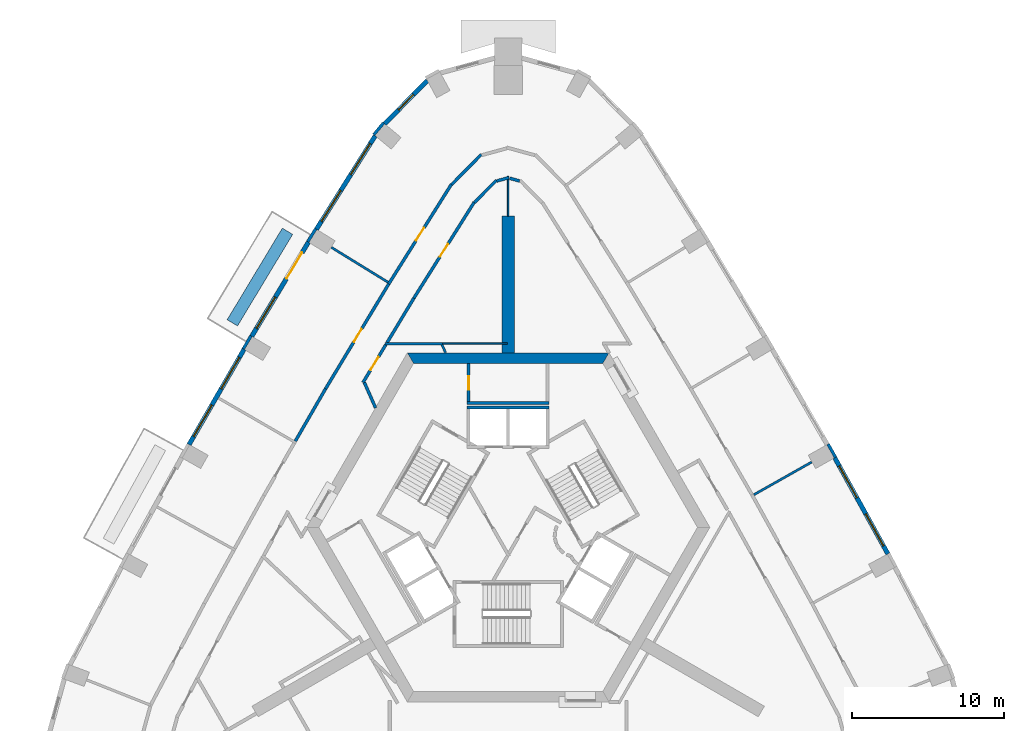
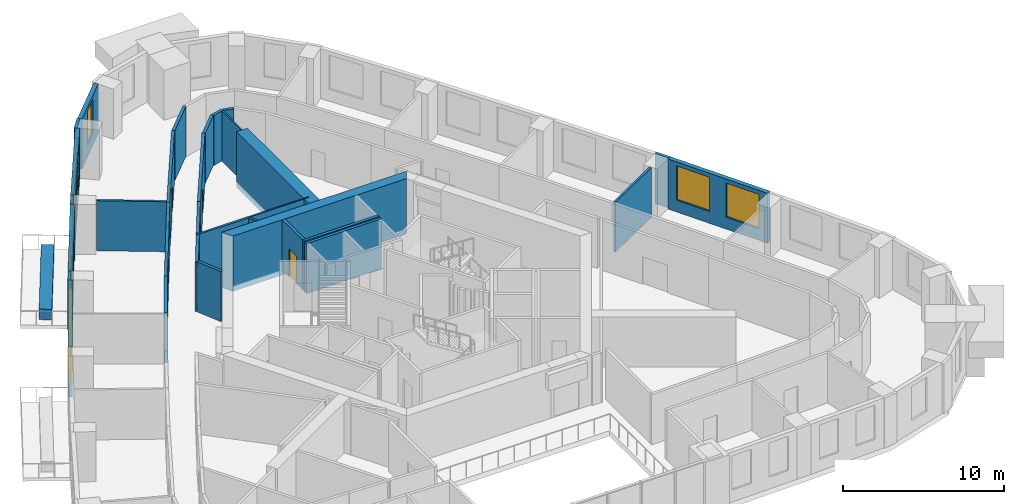
# One storey, part 8 of 13: 32 walls, 8 windows, 6 doors, 14 openings.
"""IFC4 building model written with IfcOpenShell, lengths in metres."""

from ifc_helpers import new_model, si_unit, direction, frame, frame_2d, origin, place, context, subcontext, project, spatial, polyline, rectangle, outline, extrude, material, layer, layer_set, type_object, element, fill, save


model = new_model("IFC4")

# Units and contexts
model_context = context("Model", 3, precision=1e-05, world=origin(), true_north=direction((0.0, 1.0)))
body_context = subcontext(model_context, "Body", "Model", "MODEL_VIEW")
ifc_project = project(units=[si_unit("LENGTHUNIT", "METRE"), si_unit("AREAUNIT", "SQUARE_METRE"), si_unit("VOLUMEUNIT", "CUBIC_METRE"), si_unit("PLANEANGLEUNIT", "RADIAN"), si_unit("MASSUNIT", "GRAM", prefix="KILO")], contexts=[model_context])

# Site, building, storey
site_placement = place(None, origin())
site = spatial("IfcSite", under=ifc_project, at=site_placement, CompositionType="ELEMENT")
building_placement = place(site_placement, origin())
building = spatial("IfcBuilding", under=site, at=building_placement, Name="Entoto Arch Interchange Tower", CompositionType="ELEMENT")
storey_placement = place(building_placement, frame((0.0, 0.0, 210.800048828125)))
storey = spatial("IfcBuildingStorey", under=building, at=storey_placement, Name="L47", CompositionType="ELEMENT", Elevation=210.800048828125)

# Walls
ifc_material_1 = material(Name="Concrete C50/60", Category="concrete")
ifc_layer_1 = layer(ifc_material_1, 0.800048828125)
ifc_layer_set_1 = layer_set([ifc_layer_1], Name="Concrete C50/60")
wall_type_1 = type_object("IfcWallType", Name="Buttress wall 800 C50/60", PredefinedType="SHEAR", material=ifc_layer_set_1)
wall_1_placement = place(storey_placement, frame((0.0, 14.0, -0.400146484375), z_axis=(0.0, 0.0, 1.0), x_axis=(0.0, 1.0, 0.0)))
element("IfcWall", 1, at=wall_1_placement, inside=storey, type_object=wall_type_1, Name="Buttress wall N L47", PredefinedType="SHEAR", context=body_context, shape_type="SweptSolid", body=[
    extrude(rectangle(XDim=9.0, YDim=0.800048828125, at=frame_2d((4.5, 0.0))), origin(), (0.0, 0.0, 1.0), 4.2001953125),
])
ifc_layer_2 = layer(ifc_material_1, 0.699951171875)
ifc_layer_set_2 = layer_set([ifc_layer_2], Name="Concrete C50/60")
wall_type_2 = type_object("IfcWallType", Name="Core wall 700 C50/60", PredefinedType="SHEAR", material=ifc_layer_set_2)
wall_2_placement = place(storey_placement, frame((0.0, 0.0, -0.400146484375)))
element("IfcWall", 2, at=wall_2_placement, inside=storey, type_object=wall_type_2, Name="Core wall N L47", PredefinedType="SHEAR", context=body_context, shape_type="SweptSolid", body=[
    extrude(outline(polyline([(6.639892578125, 14.0), (-6.639892578125, 14.0), (-6.235107421875, 13.300048828125), (6.235107421875, 13.300048828125), (6.639892578125, 14.0)])), origin(), (0.0, 0.0, 1.0), 4.2001953125),
])
ifc_material_2 = material(Name="Concrete C40/50", Category="concrete")
ifc_layer_3 = layer(ifc_material_2, 0.199951171875)
ifc_layer_set_3 = layer_set([ifc_layer_3], Name="Concrete C40/50")
wall_type_3 = type_object("IfcWallType", Name="LIFT SHAFT WALL 200", PredefinedType="STANDARD", material=ifc_layer_set_3)
wall_3_placement = place(storey_placement, frame((2.699951171875, 10.39990234375, 0.0), z_axis=(0.0, 0.0, 1.0), x_axis=(-1.0, 0.0, 0.0)))
element("IfcWall", 3, at=wall_3_placement, inside=storey, type_object=wall_type_3, Name="Shaft wall N1 back", PredefinedType="STANDARD", context=body_context, shape_type="SweptSolid", body=[
    extrude(rectangle(XDim=5.39990234375, YDim=0.199951171875, at=frame_2d((2.699951171875, 0.0))), origin(), (0.0, 0.0, 1.0), 3.800048828125),
])
ifc_material_3 = material(Name="Gypsum board partition on steel studs", Category="steel")
ifc_layer_4 = layer(ifc_material_3, 0.10009765625)
ifc_layer_set_4 = layer_set([ifc_layer_4], Name="Gypsum board partition on steel studs")
wall_type_4 = type_object("IfcWallType", Name="PARTITION 100", PredefinedType="PARTITIONING", material=ifc_layer_set_4)
wall_4_placement = place(storey_placement, frame((-4.31591796875, 14.612060546875, 0.0), z_axis=(0.0, 0.0, 1.0), x_axis=(1.0, 0.0, 0.0)))
element("IfcWall", 4, at=wall_4_placement, inside=storey, type_object=wall_type_4, Name="wall:L47:p097", PredefinedType="PARTITIONING", context=body_context, shape_type="SweptSolid", body=[
    extrude(rectangle(XDim=4.265869140625, YDim=0.10009765625, at=frame_2d((2.1328125, 0.0))), origin(), (0.0, 0.0, 1.0), 3.800048828125),
])
wall_5_placement = place(storey_placement, frame((0.0, 23.0, 0.0), z_axis=(0.0, 0.0, 1.0), x_axis=(0.0, 1.0, 0.0)))
element("IfcWall", 5, at=wall_5_placement, inside=storey, type_object=wall_type_4, Name="wall:L47:p098", PredefinedType="PARTITIONING", context=body_context, shape_type="SweptSolid", body=[
    extrude(rectangle(XDim=2.6201171875, YDim=0.10009765625, at=frame_2d((1.31005859375, 0.0))), origin(), (0.0, 0.0, 1.0), 3.800048828125),
])
ifc_layer_5 = layer(ifc_material_3, 0.14990234375)
ifc_layer_set_5 = layer_set([ifc_layer_5], Name="Gypsum board partition on steel studs")
wall_type_5 = type_object("IfcWallType", Name="PARTITION 150", PredefinedType="PARTITIONING", material=ifc_layer_set_5)
wall_6_placement = place(storey_placement, frame((-4.125, 14.0, 0.0), z_axis=(0.0, 0.0, 1.0), x_axis=(-0.404850841056, 0.914382740703, 0.0)))
element("IfcWall", 6, at=wall_6_placement, inside=storey, type_object=wall_type_5, Name="wall:L47:p075", PredefinedType="PARTITIONING", context=body_context, shape_type="SweptSolid", body=[
    extrude(rectangle(XDim=0.580810546875, YDim=0.14990234375, at=frame_2d((0.29052734375, 0.0))), origin(), (0.0, 0.0, 1.0), 3.800048828125),
])
wall_7_placement = place(storey_placement, frame((-4.31591796875, 14.60009765625, 0.0), z_axis=(0.0, 0.0, 1.0), x_axis=(-1.0, 0.0, 0.0)))
element("IfcWall", 7, at=wall_7_placement, inside=storey, type_object=wall_type_5, Name="wall:L47:p076", PredefinedType="PARTITIONING", context=body_context, shape_type="SweptSolid", body=[
    extrude(rectangle(XDim=3.802001953125, YDim=0.14990234375, at=frame_2d((1.90087890625, 0.0))), origin(), (0.0, 0.0, 1.0), 3.800048828125),
])
wall_8_placement = place(storey_placement, frame((16.174072265625, 4.64599609375, 0.0), z_axis=(0.0, 0.0, 1.0), x_axis=(0.870725770229, 0.491768881752, 0.0)))
element("IfcWall", 8, at=wall_8_placement, inside=storey, type_object=wall_type_5, Name="wall:L47:p113", PredefinedType="PARTITIONING", context=body_context, shape_type="SweptSolid", body=[
    extrude(rectangle(XDim=4.380126953125, YDim=0.14990234375, at=frame_2d((2.18994140625, 0.0))), origin(), (0.0, 0.0, 1.0), 3.800048828125),
])
wall_9_placement = place(storey_placement, frame((-7.916015625, 18.64404296875, 0.0), z_axis=(0.0, 0.0, 1.0), x_axis=(-0.851543444049, 0.524284047914, 0.0)))
element("IfcWall", 9, at=wall_9_placement, inside=storey, type_object=wall_type_5, Name="wall:L47:p117", PredefinedType="PARTITIONING", context=body_context, shape_type="SweptSolid", body=[
    extrude(rectangle(XDim=4.379150390625, YDim=0.14990234375, at=frame_2d((2.189453125, 0.0))), origin(), (0.0, 0.0, 1.0), 3.800048828125),
])

# Wall, opening, door
ifc_layer_6 = layer(ifc_material_3, 0.199951171875)
ifc_layer_set_6 = layer_set([ifc_layer_6], Name="Gypsum board partition on steel studs")
wall_type_6 = type_object("IfcWallType", Name="PARTITION 200", PredefinedType="PARTITIONING", material=ifc_layer_set_6)
wall_10_placement = place(storey_placement, frame((-8.056884765625, 14.535888671875, 0.0), z_axis=(0.0, 0.0, 1.0), x_axis=(-0.516268010323, -0.856427078926, 0.0)))
wall_10 = element("IfcWall", 10, at=wall_10_placement, inside=storey, type_object=wall_type_6, Name="wall:L47:p001", PredefinedType="PARTITIONING", context=body_context, shape_type="SweptSolid", body=[
    extrude(rectangle(XDim=2.915283203125, YDim=0.199951171875, at=frame_2d((1.45751953125, 0.0))), origin(), (0.0, 0.0, 1.0), 3.800048828125),
])
opening_1_placement = place(wall_10_placement, frame((0.9580078125, 0.0, 0.0)))
opening_1 = element("IfcOpeningElement", 11, at=opening_1_placement, cuts=wall_10, Name="Opening L47-D25", PredefinedType="OPENING", context=body_context, shape_type="SweptSolid", body=[
    extrude(rectangle(XDim=1.0, YDim=2.10009765625, at=frame_2d((0.5, 1.050048828125))), frame((0.0, 0.10986328125, 0.0), z_axis=(0.0, -1.0, 0.0), x_axis=(1.0, 0.0, 0.0)), (0.0, 0.0, 1.0), 0.219970703125),
])
ifc_material_4 = material(Name="Timber door leaf in Steel S235 frame", Category="steel")
door_type_1 = type_object("IfcDoorType", Name="DOOR DS-10 1000x2100", OperationType="SINGLE_SWING_LEFT", PredefinedType="DOOR", material=ifc_material_4)
door_1_placement = place(opening_1_placement, origin())
door_1 = element("IfcDoor", 12, at=door_1_placement, inside=storey, type_object=door_type_1, Name="door:L47:25", OperationType="SINGLE_SWING_LEFT", OverallHeight=2.10009765625, OverallWidth=1.0, PredefinedType="DOOR", context=body_context, shape_type="SweptSolid", body=[
    extrude(rectangle(XDim=1.0, YDim=2.10009765625, at=frame_2d((0.5, 1.050048828125))), frame((0.0, 0.02490234375, 0.0), z_axis=(0.0, -1.0, 0.0), x_axis=(1.0, 0.0, 0.0)), (0.0, 0.0, 1.0), 0.050048828125),
])
fill(opening_1, door_1)

# Walls
wall_11_placement = place(storey_placement, frame((-9.469970703125, 12.032958984375, 0.0), z_axis=(0.0, 0.0, 1.0), x_axis=(0.40441741061, -0.914574522931, 0.0)))
element("IfcWall", 13, at=wall_11_placement, inside=storey, type_object=wall_type_6, Name="wall:L47:p002", PredefinedType="PARTITIONING", context=body_context, shape_type="SweptSolid", body=[
    extrude(rectangle(XDim=1.817138671875, YDim=0.199951171875, at=frame_2d((0.90869140625, 0.0))), origin(), (0.0, 0.0, 1.0), 3.800048828125),
])
wall_12_placement = place(storey_placement, frame((0.751953125, 25.31298828125, 0.0), z_axis=(0.0, 0.0, 1.0), x_axis=(-0.964381816756, 0.264514104559, 0.0)))
element("IfcWall", 14, at=wall_12_placement, inside=storey, type_object=wall_type_6, Name="wall:L47:p010", PredefinedType="PARTITIONING", context=body_context, shape_type="SweptSolid", body=[
    extrude(rectangle(XDim=0.68017578125, YDim=0.199951171875, at=frame_2d((0.340087890625, 0.0))), origin(), (0.0, 0.0, 1.0), 3.800048828125),
])
wall_13_placement = place(storey_placement, frame((0.048095703125, 25.532958984375, 0.0), z_axis=(0.0, 0.0, 1.0), x_axis=(-0.964218556253, -0.265108611286, 0.0)))
element("IfcWall", 15, at=wall_13_placement, inside=storey, type_object=wall_type_6, Name="wall:L47:p011", PredefinedType="PARTITIONING", context=body_context, shape_type="SweptSolid", body=[
    extrude(rectangle(XDim=0.829833984375, YDim=0.199951171875, at=frame_2d((0.4150390625, 0.0))), origin(), (0.0, 0.0, 1.0), 3.800048828125),
])
wall_14_placement = place(storey_placement, frame((-0.778076171875, 25.35791015625, 0.0), z_axis=(0.0, 0.0, 1.0), x_axis=(-0.702245482258, -0.711934886523, 0.0)))
element("IfcWall", 16, at=wall_14_placement, inside=storey, type_object=wall_type_6, Name="wall:L47:p012", PredefinedType="PARTITIONING", context=body_context, shape_type="SweptSolid", body=[
    extrude(rectangle(XDim=2.066162109375, YDim=0.199951171875, at=frame_2d((1.033203125, 0.0))), origin(), (0.0, 0.0, 1.0), 3.800048828125),
])

# Wall, opening, door
wall_15_placement = place(storey_placement, frame((-2.24609375, 23.89990234375, 0.0), z_axis=(0.0, 0.0, 1.0), x_axis=(-0.532527247309, -0.846412860768, 0.0)))
wall_15 = element("IfcWall", 17, at=wall_15_placement, inside=storey, type_object=wall_type_6, Name="wall:L47:p013", PredefinedType="PARTITIONING", context=body_context, shape_type="SweptSolid", body=[
    extrude(rectangle(XDim=7.448974609375, YDim=0.199951171875, at=frame_2d((3.724609375, 0.0))), origin(), (0.0, 0.0, 1.0), 3.800048828125),
])
opening_2_placement = place(wall_15_placement, frame((3.22509765625, 0.0, 0.0)))
opening_2 = element("IfcOpeningElement", 18, at=opening_2_placement, cuts=wall_15, Name="Opening L47-D18", PredefinedType="OPENING", context=body_context, shape_type="SweptSolid", body=[
    extrude(rectangle(XDim=1.0, YDim=2.10009765625, at=frame_2d((0.5, 1.050048828125))), frame((0.0, 0.10986328125, 0.0), z_axis=(0.0, -1.0, 0.0), x_axis=(1.0, 0.0, 0.0)), (0.0, 0.0, 1.0), 0.219970703125),
])
door_2_placement = place(opening_2_placement, origin())
door_2 = element("IfcDoor", 19, at=door_2_placement, inside=storey, type_object=door_type_1, Name="door:L47:18", OperationType="SINGLE_SWING_LEFT", OverallHeight=2.10009765625, OverallWidth=1.0, PredefinedType="DOOR", context=body_context, shape_type="SweptSolid", body=[
    extrude(rectangle(XDim=1.0, YDim=2.10009765625, at=frame_2d((0.5, 1.050048828125))), frame((0.0, 0.02490234375, 0.0), z_axis=(0.0, -1.0, 0.0), x_axis=(1.0, 0.0, 0.0)), (0.0, 0.0, 1.0), 0.050048828125),
])
fill(opening_2, door_2)

# Wall
wall_16_placement = place(storey_placement, frame((-6.212890625, 17.594970703125, 0.0), z_axis=(0.0, 0.0, 1.0), x_axis=(-0.516121112316, -0.856515614231, 0.0)))
element("IfcWall", 20, at=wall_16_placement, inside=storey, type_object=wall_type_6, Name="wall:L47:p014", PredefinedType="PARTITIONING", context=body_context, shape_type="SweptSolid", body=[
    extrude(rectangle(XDim=3.421875, YDim=0.199951171875, at=frame_2d((1.7109375, 0.0))), origin(), (0.0, 0.0, 1.0), 3.800048828125),
])

# Wall, opening, door
wall_17_placement = place(storey_placement, frame((-7.87109375, 18.528076171875, 0.0), z_axis=(0.0, 0.0, 1.0), x_axis=(0.532587642146, 0.846374859878, 0.0)))
wall_17 = element("IfcWall", 21, at=wall_17_placement, inside=storey, type_object=wall_type_6, Name="wall:L47:p048", PredefinedType="PARTITIONING", context=body_context, shape_type="SweptSolid", body=[
    extrude(rectangle(XDim=7.749267578125, YDim=0.199951171875, at=frame_2d((3.87451171875, 0.0))), origin(), (0.0, 0.0, 1.0), 3.800048828125),
])
opening_3_placement = place(wall_17_placement, frame((3.375, 0.0, 0.0)))
opening_3 = element("IfcOpeningElement", 22, at=opening_3_placement, cuts=wall_17, Name="Opening L47-D09", PredefinedType="OPENING", context=body_context, shape_type="SweptSolid", body=[
    extrude(rectangle(XDim=1.0, YDim=2.10009765625, at=frame_2d((0.5, 1.050048828125))), frame((0.0, 0.10986328125, 0.0), z_axis=(0.0, -1.0, 0.0), x_axis=(1.0, 0.0, 0.0)), (0.0, 0.0, 1.0), 0.219970703125),
])
door_3_placement = place(opening_3_placement, origin())
door_3 = element("IfcDoor", 23, at=door_3_placement, inside=storey, type_object=door_type_1, Name="door:L47:09", OperationType="SINGLE_SWING_LEFT", OverallHeight=2.10009765625, OverallWidth=1.0, PredefinedType="DOOR", context=body_context, shape_type="SweptSolid", body=[
    extrude(rectangle(XDim=1.0, YDim=2.10009765625, at=frame_2d((0.5, 1.050048828125))), frame((0.0, 0.02490234375, 0.0), z_axis=(0.0, -1.0, 0.0), x_axis=(1.0, 0.0, 0.0)), (0.0, 0.0, 1.0), 0.050048828125),
])
fill(opening_3, door_3)

# Walls
wall_18_placement = place(storey_placement, frame((-3.72705078125, 25.073974609375, 0.0), z_axis=(0.0, 0.0, 1.0), x_axis=(0.702089218366, 0.712088989842, 0.0)))
element("IfcWall", 24, at=wall_18_placement, inside=storey, type_object=wall_type_6, Name="wall:L47:p049", PredefinedType="PARTITIONING", context=body_context, shape_type="SweptSolid", body=[
    extrude(rectangle(XDim=2.783203125, YDim=0.199951171875, at=frame_2d((1.3916015625, 0.0))), origin(), (0.0, 0.0, 1.0), 3.800048828125),
])
wall_19_placement = place(storey_placement, frame((-14.01904296875, 8.179931640625, 0.0), z_axis=(0.0, 0.0, 1.0), x_axis=(0.500089897431, 0.865973495257, 0.0)))
element("IfcWall", 25, at=wall_19_placement, inside=storey, type_object=wall_type_6, Name="wall:L47:p053", PredefinedType="PARTITIONING", context=body_context, shape_type="SweptSolid", body=[
    extrude(rectangle(XDim=3.987548828125, YDim=0.199951171875, at=frame_2d((1.99365234375, 0.0))), origin(), (0.0, 0.0, 1.0), 3.800048828125),
])

# Wall, opening, door
wall_20_placement = place(storey_placement, frame((-12.02490234375, 11.633056640625, 0.0), z_axis=(0.0, 0.0, 1.0), x_axis=(0.516283129542, 0.856417964636, 0.0)))
wall_20 = element("IfcWall", 26, at=wall_20_placement, inside=storey, type_object=wall_type_6, Name="wall:L47:p054", PredefinedType="PARTITIONING", context=body_context, shape_type="SweptSolid", body=[
    extrude(rectangle(XDim=8.0498046875, YDim=0.199951171875, at=frame_2d((4.02490234375, 0.0))), origin(), (0.0, 0.0, 1.0), 3.800048828125),
])
opening_4_placement = place(wall_20_placement, frame((3.60009765625, 0.0, 0.0)))
opening_4 = element("IfcOpeningElement", 27, at=opening_4_placement, cuts=wall_20, Name="Opening L47-D10", PredefinedType="OPENING", context=body_context, shape_type="SweptSolid", body=[
    extrude(rectangle(XDim=1.0, YDim=2.10009765625, at=frame_2d((0.5, 1.050048828125))), frame((0.0, 0.10986328125, 0.0), z_axis=(0.0, -1.0, 0.0), x_axis=(1.0, 0.0, 0.0)), (0.0, 0.0, 1.0), 0.219970703125),
])
door_4_placement = place(opening_4_placement, origin())
door_4 = element("IfcDoor", 28, at=door_4_placement, inside=storey, type_object=door_type_1, Name="door:L47:10", OperationType="SINGLE_SWING_LEFT", OverallHeight=2.10009765625, OverallWidth=1.0, PredefinedType="DOOR", context=body_context, shape_type="SweptSolid", body=[
    extrude(rectangle(XDim=1.0, YDim=2.10009765625, at=frame_2d((0.5, 1.050048828125))), frame((0.0, 0.02490234375, 0.0), z_axis=(0.0, -1.0, 0.0), x_axis=(1.0, 0.0, 0.0)), (0.0, 0.0, 1.0), 0.050048828125),
])
fill(opening_4, door_4)

wall_21_placement = place(storey_placement, frame((-2.60009765625, 10.800048828125, 0.0), z_axis=(0.0, 0.0, 1.0), x_axis=(0.0, 1.0, 0.0)))
wall_21 = element("IfcWall", 29, at=wall_21_placement, inside=storey, type_object=wall_type_6, Name="wall:L47:p066", PredefinedType="PARTITIONING", context=body_context, shape_type="SweptSolid", body=[
    extrude(rectangle(XDim=2.5, YDim=0.199951171875, at=frame_2d((1.25, 0.0))), origin(), (0.0, 0.0, 1.0), 3.800048828125),
])
opening_5_placement = place(wall_21_placement, frame((0.75, 0.0, 0.0)))
opening_5 = element("IfcOpeningElement", 30, at=opening_5_placement, cuts=wall_21, Name="Opening L47-D29", PredefinedType="OPENING", context=body_context, shape_type="SweptSolid", body=[
    extrude(rectangle(XDim=0.89990234375, YDim=2.10009765625, at=frame_2d((0.449951171875, 1.050048828125))), frame((0.0, 0.10986328125, 0.0), z_axis=(0.0, -1.0, 0.0), x_axis=(1.0, 0.0, 0.0)), (0.0, 0.0, 1.0), 0.219970703125),
])
door_type_2 = type_object("IfcDoorType", Name="DOOR DS-09 900x2100", OperationType="SINGLE_SWING_LEFT", PredefinedType="DOOR", material=ifc_material_4)
door_5_placement = place(opening_5_placement, origin())
door_5 = element("IfcDoor", 31, at=door_5_placement, inside=storey, type_object=door_type_2, Name="door:L47:29", OperationType="SINGLE_SWING_RIGHT", OverallHeight=2.10009765625, OverallWidth=0.89990234375, PredefinedType="DOOR", context=body_context, shape_type="SweptSolid", body=[
    extrude(rectangle(XDim=0.89990234375, YDim=2.10009765625, at=frame_2d((0.449951171875, 1.050048828125))), frame((0.0, 0.02490234375, 0.0), z_axis=(0.0, -1.0, 0.0), x_axis=(1.0, 0.0, 0.0)), (0.0, 0.0, 1.0), 0.050048828125),
])
fill(opening_5, door_5)

# Walls
wall_22_placement = place(storey_placement, frame((2.699951171875, 10.699951171875, 0.0), z_axis=(0.0, 0.0, 1.0), x_axis=(-1.0, 0.0, 0.0)))
element("IfcWall", 32, at=wall_22_placement, inside=storey, type_object=wall_type_6, Name="wall:L47:p068", PredefinedType="PARTITIONING", context=body_context, shape_type="SweptSolid", body=[
    extrude(rectangle(XDim=5.39990234375, YDim=0.199951171875, at=frame_2d((2.699951171875, 0.0))), origin(), (0.0, 0.0, 1.0), 3.800048828125),
])
ifc_material_5 = material(Name="Board-marked precast concrete C50/60", Category="concrete")
ifc_layer_7 = layer(ifc_material_5, 0.800048828125)
ifc_layer_set_7 = layer_set([ifc_layer_7], Name="Board-marked precast concrete C50/60")
wall_type_7 = type_object("IfcWallType", Name="PLANTER RC 800 Afrocarpus falcatus", PredefinedType="STANDARD", material=ifc_layer_set_7)
wall_23_placement = place(storey_placement, frame((-14.533935546875, 21.9990234375, 0.0), z_axis=(0.0, 0.0, 1.0), x_axis=(-0.516228760394, -0.856450738188, 0.0)))
element("IfcWall", 33, at=wall_23_placement, inside=storey, type_object=wall_type_7, Name="Planter NW-02 L47", PredefinedType="STANDARD", context=body_context, shape_type="SweptSolid", body=[
    extrude(rectangle(XDim=7.03955078125, YDim=0.800048828125, at=frame_2d((3.519775390625, 0.0))), origin(), (0.0, 0.0, 1.0), 0.800048828125),
])

# Wall, openings, windows
ifc_material_6 = material(Name="Welded tuff (ignimbrite) cladding, warm buff", Category="masonry")
ifc_layer_8 = layer(ifc_material_6, 0.300048828125)
ifc_layer_set_8 = layer_set([ifc_layer_8], Name="Welded tuff (ignimbrite) cladding, warm buff")
wall_type_8 = type_object("IfcWallType", Name="STONE INFILL WALL 300", PredefinedType="STANDARD", material=ifc_layer_set_8)
wall_24_placement = place(storey_placement, frame((25.010009765625, 0.7509765625, 0.0), z_axis=(0.0, 0.0, 1.0), x_axis=(-0.483590905878, 0.875294142419, 0.0)))
wall_24 = element("IfcWall", 34, at=wall_24_placement, inside=storey, type_object=wall_type_8, Name="Facade wall NE-02 L47", PredefinedType="STANDARD", context=body_context, shape_type="SweptSolid", body=[
    extrude(rectangle(XDim=7.237548828125, YDim=0.300048828125, at=frame_2d((3.61865234375, 0.0))), origin(), (0.0, 0.0, 1.0), 3.800048828125),
])
opening_6_placement = place(wall_24_placement, frame((0.60888671875, 0.0, 0.89990234375)))
opening_6 = element("IfcOpeningElement", 35, at=opening_6_placement, cuts=wall_24, Name="Opening WO-A", PredefinedType="OPENING", context=body_context, shape_type="SweptSolid", body=[
    extrude(rectangle(XDim=2.39990234375, YDim=2.60009765625, at=frame_2d((1.199951171875, 1.300048828125))), frame((0.0, 0.16015625, 0.0), z_axis=(0.0, -1.0, 0.0), x_axis=(1.0, 0.0, 0.0)), (0.0, 0.0, 1.0), 0.320068359375),
])
opening_7_placement = place(wall_24_placement, frame((4.22802734375, 0.0, 0.89990234375)))
opening_7 = element("IfcOpeningElement", 36, at=opening_7_placement, cuts=wall_24, Name="Opening WO-A", PredefinedType="OPENING", context=body_context, shape_type="SweptSolid", body=[
    extrude(rectangle(XDim=2.39990234375, YDim=2.60009765625, at=frame_2d((1.199951171875, 1.300048828125))), frame((0.0, 0.16015625, 0.0), z_axis=(0.0, -1.0, 0.0), x_axis=(1.0, 0.0, 0.0)), (0.0, 0.0, 1.0), 0.320068359375),
])
ifc_material_7 = material(Name="Clear glass, low-e double glazed", Category="glass")
window_type_1 = type_object("IfcWindowType", Name="WINDOW WO-A 2400x2600", PartitioningType="DOUBLE_PANEL_VERTICAL", PredefinedType="WINDOW", material=ifc_material_7)
window_1_placement = place(opening_6_placement, origin())
window_1 = element("IfcWindow", 37, at=window_1_placement, inside=storey, type_object=window_type_1, Name="Window WO-A NE-02 L47", OverallHeight=2.60009765625, OverallWidth=2.39990234375, PartitioningType="SINGLE_PANEL", PredefinedType="WINDOW", context=body_context, shape_type="SweptSolid", body=[
    extrude(rectangle(XDim=2.39990234375, YDim=2.60009765625, at=frame_2d((1.199951171875, 1.300048828125))), frame((0.0, 0.030029296875, 0.0), z_axis=(0.0, -1.0, 0.0), x_axis=(1.0, 0.0, 0.0)), (0.0, 0.0, 1.0), 0.06005859375),
])
fill(opening_6, window_1)
window_2_placement = place(opening_7_placement, origin())
window_2 = element("IfcWindow", 38, at=window_2_placement, inside=storey, type_object=window_type_1, Name="Window WO-A NE-02 L47", OverallHeight=2.60009765625, OverallWidth=2.39990234375, PartitioningType="SINGLE_PANEL", PredefinedType="WINDOW", context=body_context, shape_type="SweptSolid", body=[
    extrude(rectangle(XDim=2.39990234375, YDim=2.60009765625, at=frame_2d((1.199951171875, 1.300048828125))), frame((0.0, 0.030029296875, 0.0), z_axis=(0.0, -1.0, 0.0), x_axis=(1.0, 0.0, 0.0)), (0.0, 0.0, 1.0), 0.06005859375),
])
fill(opening_7, window_2)

# Wall, opening, window
wall_25_placement = place(storey_placement, frame((-5.326904296875, 31.925048828125, 0.0), z_axis=(0.0, 0.0, 1.0), x_axis=(-0.70209072612, -0.712087503258, 0.0)))
wall_25 = element("IfcWall", 39, at=wall_25_placement, inside=storey, type_object=wall_type_8, Name="Facade wall N-04 L47", PredefinedType="STANDARD", context=body_context, shape_type="SweptSolid", body=[
    extrude(rectangle(XDim=4.005126953125, YDim=0.300048828125, at=frame_2d((2.00244140625, 0.0))), origin(), (0.0, 0.0, 1.0), 3.800048828125),
])
opening_8_placement = place(wall_25_placement, frame((1.302978515625, 0.0, 0.89990234375)))
opening_8 = element("IfcOpeningElement", 40, at=opening_8_placement, cuts=wall_25, Name="Opening WO-B", PredefinedType="OPENING", context=body_context, shape_type="SweptSolid", body=[
    extrude(rectangle(XDim=1.39990234375, YDim=2.60009765625, at=frame_2d((0.699951171875, 1.300048828125))), frame((0.0, 0.16015625, 0.0), z_axis=(0.0, -1.0, 0.0), x_axis=(1.0, 0.0, 0.0)), (0.0, 0.0, 1.0), 0.320068359375),
])
window_type_2 = type_object("IfcWindowType", Name="WINDOW WO-B 1400x2600", PartitioningType="DOUBLE_PANEL_VERTICAL", PredefinedType="WINDOW", material=ifc_material_7)
window_3_placement = place(opening_8_placement, origin())
window_3 = element("IfcWindow", 41, at=window_3_placement, inside=storey, type_object=window_type_2, Name="Window WO-B N-04 L47", OverallHeight=2.60009765625, OverallWidth=1.39990234375, PartitioningType="SINGLE_PANEL", PredefinedType="WINDOW", context=body_context, shape_type="SweptSolid", body=[
    extrude(rectangle(XDim=1.39990234375, YDim=2.60009765625, at=frame_2d((0.699951171875, 1.300048828125))), frame((0.0, 0.030029296875, 0.0), z_axis=(0.0, -1.0, 0.0), x_axis=(1.0, 0.0, 0.0)), (0.0, 0.0, 1.0), 0.06005859375),
])
fill(opening_8, window_3)

# Wall, openings, windows
wall_26_placement = place(storey_placement, frame((-8.759033203125, 28.2900390625, 0.0), z_axis=(0.0, 0.0, 1.0), x_axis=(-0.532522107002, -0.84641609481, 0.0)))
wall_26 = element("IfcWall", 42, at=wall_26_placement, inside=storey, type_object=wall_type_8, Name="Facade wall NW-01 L47", PredefinedType="STANDARD", context=body_context, shape_type="SweptSolid", body=[
    extrude(rectangle(XDim=7.27294921875, YDim=0.300048828125, at=frame_2d((3.636474609375, 0.0))), origin(), (0.0, 0.0, 1.0), 3.800048828125),
])
opening_9_placement = place(wall_26_placement, frame((0.617919921875, 0.0, 0.89990234375)))
opening_9 = element("IfcOpeningElement", 43, at=opening_9_placement, cuts=wall_26, Name="Opening WO-A", PredefinedType="OPENING", context=body_context, shape_type="SweptSolid", body=[
    extrude(rectangle(XDim=2.39990234375, YDim=2.60009765625, at=frame_2d((1.199951171875, 1.300048828125))), frame((0.0, 0.16015625, 0.0), z_axis=(0.0, -1.0, 0.0), x_axis=(1.0, 0.0, 0.0)), (0.0, 0.0, 1.0), 0.320068359375),
])
opening_10_placement = place(wall_26_placement, frame((4.2548828125, 0.0, 0.89990234375)))
opening_10 = element("IfcOpeningElement", 44, at=opening_10_placement, cuts=wall_26, Name="Opening WO-A", PredefinedType="OPENING", context=body_context, shape_type="SweptSolid", body=[
    extrude(rectangle(XDim=2.39990234375, YDim=2.60009765625, at=frame_2d((1.199951171875, 1.300048828125))), frame((0.0, 0.16015625, 0.0), z_axis=(0.0, -1.0, 0.0), x_axis=(1.0, 0.0, 0.0)), (0.0, 0.0, 1.0), 0.320068359375),
])
window_4_placement = place(opening_9_placement, origin())
window_4 = element("IfcWindow", 45, at=window_4_placement, inside=storey, type_object=window_type_1, Name="Window WO-A NW-01 L47", OverallHeight=2.60009765625, OverallWidth=2.39990234375, PartitioningType="SINGLE_PANEL", PredefinedType="WINDOW", context=body_context, shape_type="SweptSolid", body=[
    extrude(rectangle(XDim=2.39990234375, YDim=2.60009765625, at=frame_2d((1.199951171875, 1.300048828125))), frame((0.0, 0.030029296875, 0.0), z_axis=(0.0, -1.0, 0.0), x_axis=(1.0, 0.0, 0.0)), (0.0, 0.0, 1.0), 0.06005859375),
])
fill(opening_9, window_4)
window_5_placement = place(opening_10_placement, origin())
window_5 = element("IfcWindow", 46, at=window_5_placement, inside=storey, type_object=window_type_1, Name="Window WO-A NW-01 L47", OverallHeight=2.60009765625, OverallWidth=2.39990234375, PartitioningType="SINGLE_PANEL", PredefinedType="WINDOW", context=body_context, shape_type="SweptSolid", body=[
    extrude(rectangle(XDim=2.39990234375, YDim=2.60009765625, at=frame_2d((1.199951171875, 1.300048828125))), frame((0.0, 0.030029296875, 0.0), z_axis=(0.0, -1.0, 0.0), x_axis=(1.0, 0.0, 0.0)), (0.0, 0.0, 1.0), 0.06005859375),
])
fill(opening_10, window_5)

# Wall, openings, door, window
wall_27_placement = place(storey_placement, frame((-13.155029296875, 21.283935546875, 0.0), z_axis=(0.0, 0.0, 1.0), x_axis=(-0.516230553484, -0.856449657394, 0.0)))
wall_27 = element("IfcWall", 47, at=wall_27_placement, inside=storey, type_object=wall_type_8, Name="Facade wall NW-02 L47", PredefinedType="STANDARD", context=body_context, shape_type="SweptSolid", body=[
    extrude(rectangle(XDim=7.239013671875, YDim=0.300048828125, at=frame_2d((3.61962890625, 0.0))), origin(), (0.0, 0.0, 1.0), 3.800048828125),
])
opening_11_placement = place(wall_27_placement, frame((0.81005859375, 0.0, 0.0)))
opening_11 = element("IfcOpeningElement", 48, at=opening_11_placement, cuts=wall_27, Name="Opening DB-NW-02-L47", PredefinedType="OPENING", context=body_context, shape_type="SweptSolid", body=[
    extrude(rectangle(XDim=2.0, YDim=2.39990234375, at=frame_2d((1.0, 1.199951171875))), frame((0.0, 0.16015625, 0.0), z_axis=(0.0, -1.0, 0.0), x_axis=(1.0, 0.0, 0.0)), (0.0, 0.0, 1.0), 0.320068359375),
])
opening_12_placement = place(wall_27_placement, frame((4.22900390625, 0.0, 0.89990234375)))
opening_12 = element("IfcOpeningElement", 49, at=opening_12_placement, cuts=wall_27, Name="Opening WO-A", PredefinedType="OPENING", context=body_context, shape_type="SweptSolid", body=[
    extrude(rectangle(XDim=2.39990234375, YDim=2.60009765625, at=frame_2d((1.199951171875, 1.300048828125))), frame((0.0, 0.16015625, 0.0), z_axis=(0.0, -1.0, 0.0), x_axis=(1.0, 0.0, 0.0)), (0.0, 0.0, 1.0), 0.320068359375),
])
ifc_material_8 = material(Name="Aluminium and clear glass, anodised", Category="aluminium")
door_type_3 = type_object("IfcDoorType", Name="BALCONY DOOR DB 2000x2400", OperationType="SLIDING_TO_LEFT", PredefinedType="DOOR", material=ifc_material_8)
door_6_placement = place(opening_11_placement, origin())
door_6 = element("IfcDoor", 50, at=door_6_placement, inside=storey, type_object=door_type_3, Name="Balcony door NW-02 L47", OperationType="SLIDING_TO_LEFT", OverallHeight=2.39990234375, OverallWidth=2.0, PredefinedType="DOOR", context=body_context, shape_type="SweptSolid", body=[
    extrude(rectangle(XDim=2.0, YDim=2.39990234375, at=frame_2d((1.0, 1.199951171875))), frame((0.0, 0.02490234375, 0.0), z_axis=(0.0, -1.0, 0.0), x_axis=(1.0, 0.0, 0.0)), (0.0, 0.0, 1.0), 0.050048828125),
])
fill(opening_11, door_6)
window_6_placement = place(opening_12_placement, origin())
window_6 = element("IfcWindow", 51, at=window_6_placement, inside=storey, type_object=window_type_1, Name="Window WO-A NW-02 L47", OverallHeight=2.60009765625, OverallWidth=2.39990234375, PartitioningType="SINGLE_PANEL", PredefinedType="WINDOW", context=body_context, shape_type="SweptSolid", body=[
    extrude(rectangle(XDim=2.39990234375, YDim=2.60009765625, at=frame_2d((1.199951171875, 1.300048828125))), frame((0.0, 0.030029296875, 0.0), z_axis=(0.0, -1.0, 0.0), x_axis=(1.0, 0.0, 0.0)), (0.0, 0.0, 1.0), 0.06005859375),
])
fill(opening_12, window_6)

# Wall, openings, windows
wall_28_placement = place(storey_placement, frame((-17.39892578125, 14.22509765625, 0.0), z_axis=(0.0, 0.0, 1.0), x_axis=(-0.500012402131, -0.866018243292, 0.0)))
wall_28 = element("IfcWall", 52, at=wall_28_placement, inside=storey, type_object=wall_type_8, Name="Facade wall NW-03 L47", PredefinedType="STANDARD", context=body_context, shape_type="SweptSolid", body=[
    extrude(rectangle(XDim=7.239990234375, YDim=0.300048828125, at=frame_2d((3.6201171875, 0.0))), origin(), (0.0, 0.0, 1.0), 3.800048828125),
])
opening_13_placement = place(wall_28_placement, frame((0.610107421875, 0.0, 0.89990234375)))
opening_13 = element("IfcOpeningElement", 53, at=opening_13_placement, cuts=wall_28, Name="Opening WO-A", PredefinedType="OPENING", context=body_context, shape_type="SweptSolid", body=[
    extrude(rectangle(XDim=2.39990234375, YDim=2.60009765625, at=frame_2d((1.199951171875, 1.300048828125))), frame((0.0, 0.16015625, 0.0), z_axis=(0.0, -1.0, 0.0), x_axis=(1.0, 0.0, 0.0)), (0.0, 0.0, 1.0), 0.320068359375),
])
opening_14_placement = place(wall_28_placement, frame((4.22998046875, 0.0, 0.89990234375)))
opening_14 = element("IfcOpeningElement", 54, at=opening_14_placement, cuts=wall_28, Name="Opening WO-A", PredefinedType="OPENING", context=body_context, shape_type="SweptSolid", body=[
    extrude(rectangle(XDim=2.39990234375, YDim=2.60009765625, at=frame_2d((1.199951171875, 1.300048828125))), frame((0.0, 0.16015625, 0.0), z_axis=(0.0, -1.0, 0.0), x_axis=(1.0, 0.0, 0.0)), (0.0, 0.0, 1.0), 0.320068359375),
])
window_7_placement = place(opening_13_placement, origin())
window_7 = element("IfcWindow", 55, at=window_7_placement, inside=storey, type_object=window_type_1, Name="Window WO-A NW-03 L47", OverallHeight=2.60009765625, OverallWidth=2.39990234375, PartitioningType="SINGLE_PANEL", PredefinedType="WINDOW", context=body_context, shape_type="SweptSolid", body=[
    extrude(rectangle(XDim=2.39990234375, YDim=2.60009765625, at=frame_2d((1.199951171875, 1.300048828125))), frame((0.0, 0.030029296875, 0.0), z_axis=(0.0, -1.0, 0.0), x_axis=(1.0, 0.0, 0.0)), (0.0, 0.0, 1.0), 0.06005859375),
])
fill(opening_13, window_7)
window_8_placement = place(opening_14_placement, origin())
window_8 = element("IfcWindow", 56, at=window_8_placement, inside=storey, type_object=window_type_1, Name="Window WO-A NW-03 L47", OverallHeight=2.60009765625, OverallWidth=2.39990234375, PartitioningType="SINGLE_PANEL", PredefinedType="WINDOW", context=body_context, shape_type="SweptSolid", body=[
    extrude(rectangle(XDim=2.39990234375, YDim=2.60009765625, at=frame_2d((1.199951171875, 1.300048828125))), frame((0.0, 0.030029296875, 0.0), z_axis=(0.0, -1.0, 0.0), x_axis=(1.0, 0.0, 0.0)), (0.0, 0.0, 1.0), 0.06005859375),
])
fill(opening_14, window_8)

# Walls
ifc_layer_9 = layer(ifc_material_6, 0.199951171875)
ifc_layer_set_9 = layer_set([ifc_layer_9], Name="Welded tuff (ignimbrite) cladding, warm buff")
wall_type_9 = type_object("IfcWallType", Name="STONE PIER CLADDING 200", PredefinedType="STANDARD", material=ifc_layer_set_9)
wall_29_placement = place(storey_placement, frame((21.55810546875, 7.112060546875, 0.0), z_axis=(0.0, 0.0, 1.0), x_axis=(-0.492033129803, 0.870576475202, 0.0)))
element("IfcWall", 57, at=wall_29_placement, inside=storey, type_object=wall_type_9, Name="Stone pier NE03 L47", PredefinedType="STANDARD", context=body_context, shape_type="SweptSolid", body=[
    extrude(rectangle(XDim=1.000244140625, YDim=0.199951171875, at=frame_2d((0.5, 0.0))), origin(), (0.0, 0.0, 1.0), 3.800048828125),
])
wall_30_placement = place(storey_placement, frame((-8.2109375, 29.134033203125, 0.0), z_axis=(0.0, 0.0, 1.0), x_axis=(-0.638117112481, -0.769939316283, 0.0)))
element("IfcWall", 58, at=wall_30_placement, inside=storey, type_object=wall_type_9, Name="Stone pier NW01 L47", PredefinedType="STANDARD", context=body_context, shape_type="SweptSolid", body=[
    extrude(rectangle(XDim=1.0, YDim=0.199951171875, at=frame_2d((0.5, 0.0))), origin(), (0.0, 0.0, 1.0), 3.800048828125),
])
wall_31_placement = place(storey_placement, frame((-12.677001953125, 22.1630859375, 0.0), z_axis=(0.0, 0.0, 1.0), x_axis=(-0.525648735675, -0.850701714282, 0.0)))
element("IfcWall", 59, at=wall_31_placement, inside=storey, type_object=wall_type_9, Name="Stone pier NW02 L47", PredefinedType="STANDARD", context=body_context, shape_type="SweptSolid", body=[
    extrude(rectangle(XDim=1.00048828125, YDim=0.199951171875, at=frame_2d((0.500244140625, 0.0))), origin(), (0.0, 0.0, 1.0), 3.800048828125),
])
wall_32_placement = place(storey_placement, frame((-16.93896484375, 15.113037109375, 0.0), z_axis=(0.0, 0.0, 1.0), x_axis=(-0.508161541526, -0.861261776531, 0.0)))
element("IfcWall", 60, at=wall_32_placement, inside=storey, type_object=wall_type_9, Name="Stone pier NW03 L47", PredefinedType="STANDARD", context=body_context, shape_type="SweptSolid", body=[
    extrude(rectangle(XDim=0.999755859375, YDim=0.199951171875, at=frame_2d((0.5, 0.0))), origin(), (0.0, 0.0, 1.0), 3.800048828125),
])

save(model, "model.ifc")
